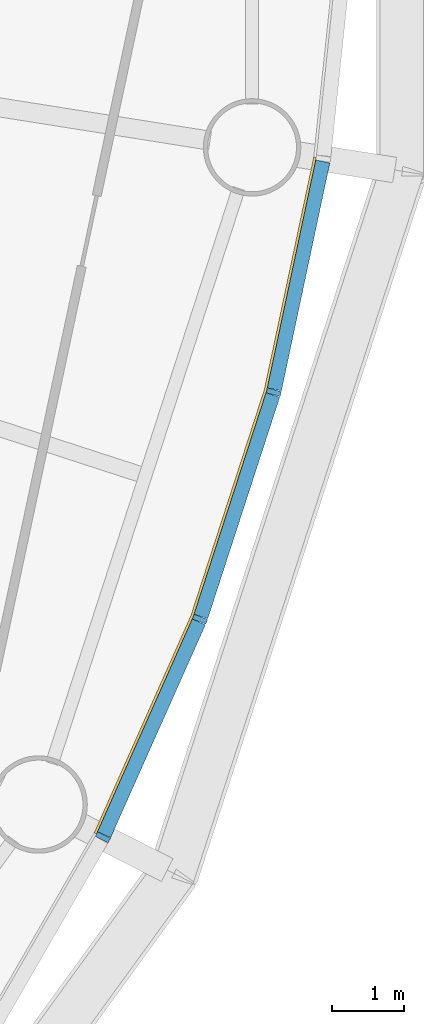
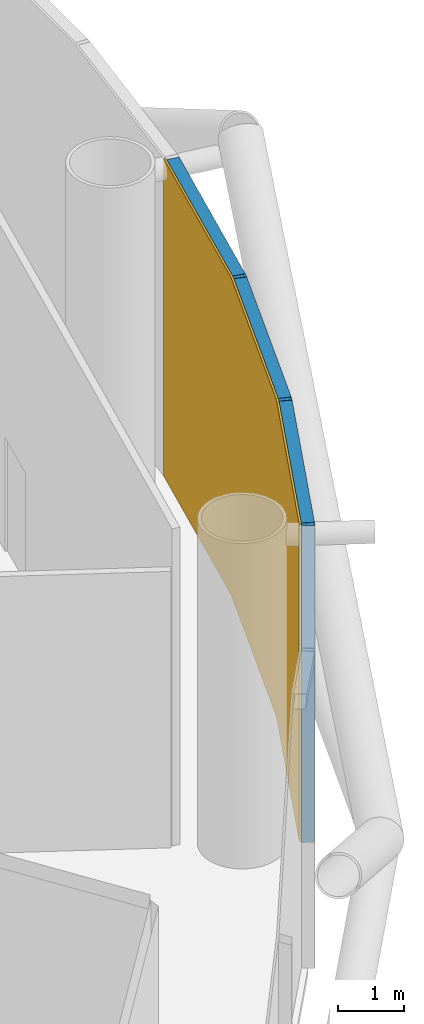
# One storey, part 9 of 14: 6 members, 1 curtain wall.
"""IFC4 building model written with IfcOpenShell, lengths in metres."""

from ifc_helpers import new_model, si_unit, direction, frame, origin, origin_2d, place, context, subcontext, project, spatial, polyline, rectangle, outline, extrude, material, layer, layer_set, material_profile, profile_set, type_object, element, aggregate, save


model = new_model("IFC4")

# Units and contexts
model_context = context("Model", 3, precision=1e-05, world=origin(), true_north=direction((0.0, 1.0)))
body_context = subcontext(model_context, "Body", "Model", "MODEL_VIEW")
ifc_project = project(units=[si_unit("LENGTHUNIT", "METRE"), si_unit("AREAUNIT", "SQUARE_METRE"), si_unit("VOLUMEUNIT", "CUBIC_METRE"), si_unit("PLANEANGLEUNIT", "RADIAN"), si_unit("MASSUNIT", "GRAM", prefix="KILO")], contexts=[model_context])

# Member
ifc_material_1 = material(Name="Anodised aluminium", Category="aluminium")
ifc_material_profile_1 = material_profile(ifc_material_1, rectangle(XDim=0.070068359375, YDim=0.199951171875, at=origin_2d()), Name="Mullion 70 x 200 mm anodised aluminium")
ifc_profile_set_1 = profile_set([ifc_material_profile_1], Name="Anodised aluminium")
member_type_1 = type_object("IfcMemberType", Name="Mullion 70 x 200 mm anodised aluminium", PredefinedType="MULLION", material=ifc_profile_set_1)
site_placement = place(None, origin())
building_placement = place(site_placement, origin())
storey_placement = place(building_placement, frame((0.0, 0.0, 132.0)))
member_1_placement = place(storey_placement, frame((118.15576171875, 65.65380859375, 0.0), z_axis=(0.0, 0.0, 1.0), x_axis=(0.45399049974, 0.891006524188, 0.0)))
member_1 = element("IfcMember", 1, at=member_1_placement, type_object=member_type_1, Name="MULLION L30-54", PredefinedType="MULLION", context=body_context, shape_type="SweptSolid", body=[
    extrude(rectangle(XDim=0.070068359375, YDim=0.199951171875, at=origin_2d()), origin(), (0.0, 0.0, 1.0), 5.85009765625),
])

member_2_placement = place(storey_placement, frame((119.501220703125, 68.675537109375, 0.0), z_axis=(0.0, 0.0, 1.0), x_axis=(0.358367949545, 0.933580426497, 0.0)))
member_2 = element("IfcMember", 2, at=member_2_placement, type_object=member_type_1, Name="MULLION L30-55", PredefinedType="MULLION", context=body_context, shape_type="SweptSolid", body=[
    extrude(rectangle(XDim=0.070068359375, YDim=0.199951171875, at=origin_2d()), origin(), (0.0, 0.0, 1.0), 5.85009765625),
])

member_3_placement = place(storey_placement, frame((120.523193359375, 71.8212890625, 0.0), z_axis=(0.0, 0.0, 1.0), x_axis=(0.258819045103, 0.965925826289, 0.0)))
member_3 = element("IfcMember", 3, at=member_3_placement, type_object=member_type_1, Name="MULLION L30-56", PredefinedType="MULLION", context=body_context, shape_type="SweptSolid", body=[
    extrude(rectangle(XDim=0.070068359375, YDim=0.199951171875, at=origin_2d()), origin(), (0.0, 0.0, 1.0), 5.85009765625),
])

ifc_material_2 = material(Name="Anodised aluminium", Category="aluminium")
ifc_material_profile_2 = material_profile(ifc_material_2, rectangle(XDim=0.199951171875, YDim=0.18994140625, at=origin_2d()), Name="Transom 190 x 200 mm anodised aluminium")
ifc_profile_set_2 = profile_set([ifc_material_profile_2], Name="Anodised aluminium")
member_type_2 = type_object("IfcMemberType", Name="Transom 190 x 200 mm anodised aluminium", PredefinedType="USERDEFINED", material=ifc_profile_set_2)
member_4_placement = place(storey_placement, frame((118.17236328125, 65.690673828125, 5.7548828125), z_axis=(0.406728032322, 0.913549291349, 0.0), x_axis=(-0.913549291349, 0.406728032322, 0.0)))
member_4 = element("IfcMember", 4, at=member_4_placement, type_object=member_type_2, Name="TRANSOM L30-54", ObjectType="TRANSOM", PredefinedType="USERDEFINED", context=body_context, shape_type="SweptSolid", body=[
    extrude(rectangle(XDim=0.199951171875, YDim=0.18994140625, at=origin_2d()), origin(), (0.0, 0.0, 1.0), 3.22705078125),
])

member_5_placement = place(storey_placement, frame((119.513671875, 68.7138671875, 5.7548828125), z_axis=(0.309046726844, 0.951046855117, 0.0), x_axis=(-0.951046855117, 0.309046726844, 0.0)))
member_5 = element("IfcMember", 5, at=member_5_placement, type_object=member_type_2, Name="TRANSOM L30-55", ObjectType="TRANSOM", PredefinedType="USERDEFINED", context=body_context, shape_type="SweptSolid", body=[
    extrude(rectangle(XDim=0.199951171875, YDim=0.18994140625, at=origin_2d()), origin(), (0.0, 0.0, 1.0), 3.22705078125),
])

member_6_placement = place(storey_placement, frame((120.53173828125, 71.860595703125, 5.7548828125), z_axis=(0.207885898771, 0.978153082647, 0.0), x_axis=(-0.978153082647, 0.207885898771, 0.0)))
member_6 = element("IfcMember", 6, at=member_6_placement, type_object=member_type_2, Name="TRANSOM L30-56", ObjectType="TRANSOM", PredefinedType="USERDEFINED", context=body_context, shape_type="SweptSolid", body=[
    extrude(rectangle(XDim=0.199951171875, YDim=0.18994140625, at=origin_2d()), origin(), (0.0, 0.0, 1.0), 3.227294921875),
])

# Site, building, storey
site = spatial("IfcSite", under=ifc_project, at=site_placement, CompositionType="ELEMENT")
building = spatial("IfcBuilding", under=site, at=building_placement, Name="Entoto Ring Tower", CompositionType="ELEMENT")
storey = spatial("IfcBuildingStorey", under=building, at=storey_placement, Name="L30", CompositionType="ELEMENT", Elevation=132.0)

# Curtain wall
ifc_material_3 = material(Name="Clear low-iron glass", Category="glass")
ifc_layer = layer(ifc_material_3, 0.035888671875)
ifc_layer_set = layer_set([ifc_layer], Name="Clear low-iron glass")
curtain_wall_type = type_object("IfcCurtainWallType", Name="Curtain wall system CW2 glazing 36 mm", PredefinedType="NOTDEFINED", material=ifc_layer_set)
curtain_wall_placement = place(storey_placement, origin())
curtain_wall = element("IfcCurtainWall", 7, at=curtain_wall_placement, inside=storey, type_object=curtain_wall_type, Name="CW2 L30-19", PredefinedType="NOTDEFINED", context=body_context, shape_type="SweptSolid", body=[
    extrude(outline(polyline([(118.066650390625, 65.69921875), (119.40771484375, 68.71142578125), (120.4267578125, 71.84716796875), (121.1123046875, 75.072265625), (121.07666015625, 75.077880859375), (120.391845703125, 71.8564453125), (119.3740234375, 68.724365234375), (118.03466796875, 65.715576171875), (118.066650390625, 65.69921875)])), origin(), (0.0, 0.0, 1.0), 5.85009765625),
])

aggregate(curtain_wall, [member_1, member_2, member_3, member_4, member_5, member_6])

save(model, "model.ifc")
